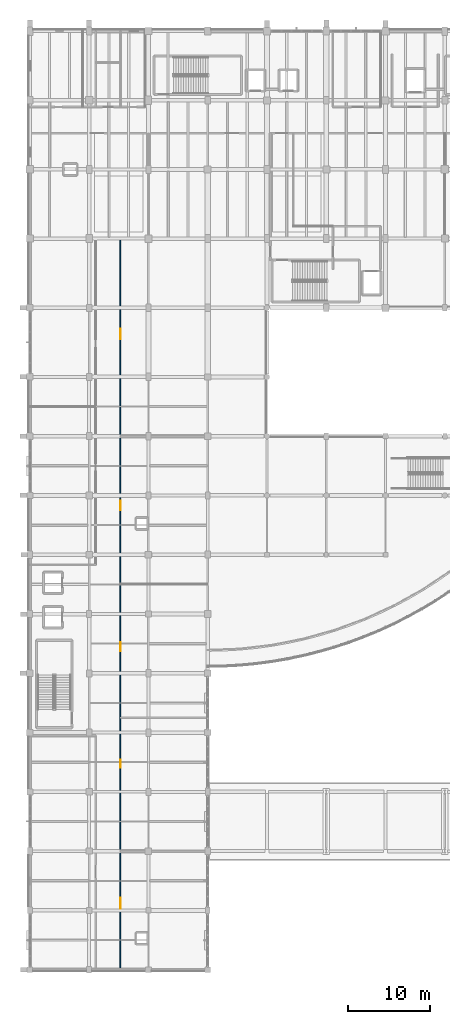
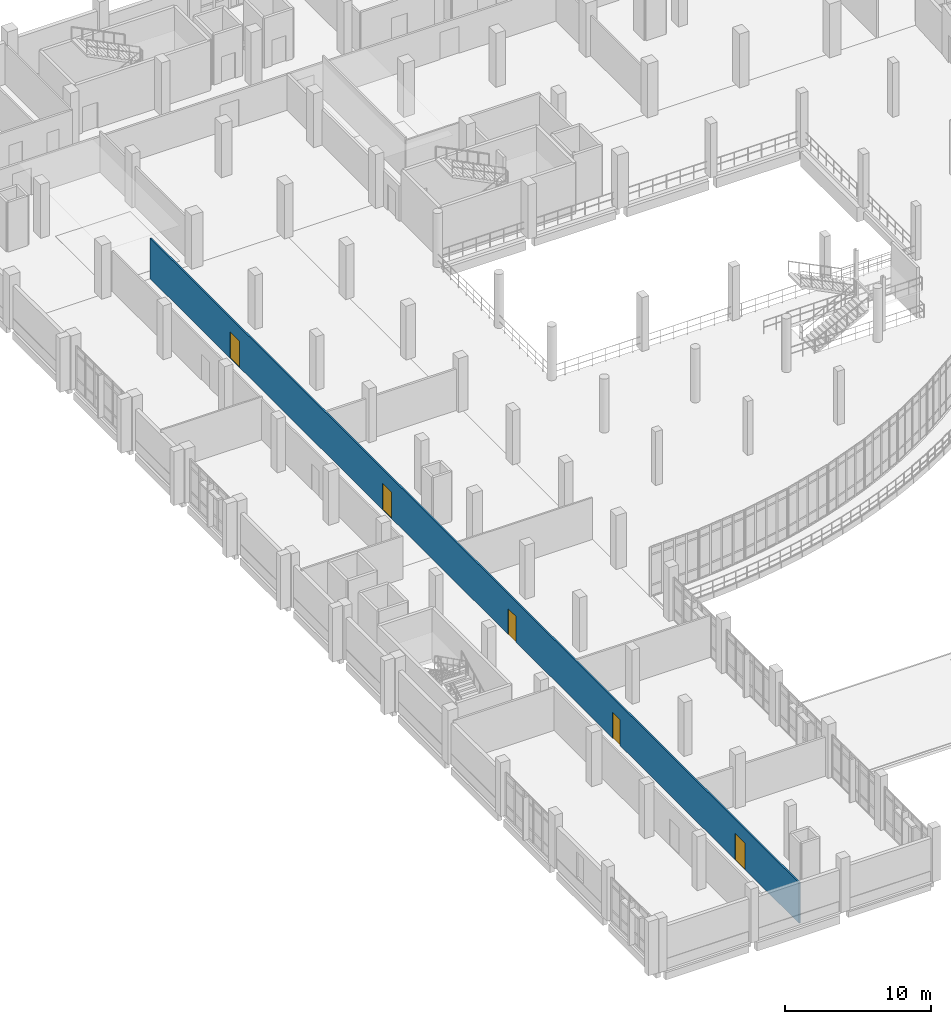
# One storey, part 112 of 134: 5 doors, 1 wall, 5 openings.
"""IFC4 building model written with IfcOpenShell, lengths in metres."""

from ifc_helpers import new_model, si_unit, direction, frame, frame_2d, origin, place, context, subcontext, project, spatial, rectangle, extrude, material, layer, layer_set, type_object, element, fill, save


model = new_model("IFC4")

# Units and contexts
model_context = context("Model", 3, precision=1e-05, world=origin(), true_north=direction((0.0, 1.0)))
body_context = subcontext(model_context, "Body", "Model", "MODEL_VIEW")
ifc_project = project(units=[si_unit("LENGTHUNIT", "METRE"), si_unit("AREAUNIT", "SQUARE_METRE"), si_unit("VOLUMEUNIT", "CUBIC_METRE"), si_unit("PLANEANGLEUNIT", "RADIAN"), si_unit("MASSUNIT", "GRAM", prefix="KILO")], contexts=[model_context])

# Site, building, storey
site_placement = place(None, origin())
site = spatial("IfcSite", under=ifc_project, at=site_placement, CompositionType="ELEMENT")
building_placement = place(site_placement, origin())
building = spatial("IfcBuilding", under=site, at=building_placement, Name="Kalluvel Institute of Natural Sciences", CompositionType="ELEMENT")
storey_placement = place(building_placement, frame((0.0, 0.0, 5.39990234375)))
storey = spatial("IfcBuildingStorey", under=building, at=storey_placement, Name="L01", CompositionType="ELEMENT", Elevation=5.39990234375)

# Wall, openings, doors
ifc_material_1 = material(Name="Acoustic Gypsum Twin-Stud Partition", Category="gypsum")
ifc_layer = layer(ifc_material_1, 0.1201171875)
ifc_layer_set = layer_set([ifc_layer], Name="Acoustic Gypsum Twin-Stud Partition")
wall_type = type_object("IfcWallType", Name="WL-PART-120", PredefinedType="PARTITIONING", material=ifc_layer_set)
wall_placement = place(storey_placement, frame((25.0, 14.0, 0.0), z_axis=(0.0, 0.0, 1.0), x_axis=(0.0, 1.0, 0.0)))
wall = element("IfcWall", 1, at=wall_placement, inside=storey, type_object=wall_type, Name="L01 interior partition wall WL-INT-L01-0104", PredefinedType="PARTITIONING", context=body_context, shape_type="SweptSolid", body=[
    extrude(rectangle(XDim=88.800048828125, YDim=0.1201171875, at=frame_2d((44.39990234375, 0.0))), origin(), (0.0, 0.0, 1.0), 3.380126953125),
])
opening_1_placement = place(wall_placement, frame((7.39990234375, 0.0, 0.0)))
opening_1 = element("IfcOpeningElement", 2, at=opening_1_placement, cuts=wall, Name="Opening D-108", PredefinedType="OPENING", context=body_context, shape_type="SweptSolid", body=[
    extrude(rectangle(XDim=1.35009765625, YDim=2.199951171875, at=frame_2d((0.675048828125, 1.10009765625))), frame((0.0, 0.070068359375, 0.0), z_axis=(0.0, -1.0, 0.0), x_axis=(1.0, 0.0, 0.0)), (0.0, 0.0, 1.0), 0.14013671875),
])
opening_2_placement = place(wall_placement, frame((24.5, 0.0, 0.0)))
opening_2 = element("IfcOpeningElement", 3, at=opening_2_placement, cuts=wall, Name="Opening D-109", PredefinedType="OPENING", context=body_context, shape_type="SweptSolid", body=[
    extrude(rectangle(XDim=1.0, YDim=2.14990234375, at=frame_2d((0.5, 1.074951171875))), frame((0.0, 0.070068359375, 0.0), z_axis=(0.0, -1.0, 0.0), x_axis=(1.0, 0.0, 0.0)), (0.0, 0.0, 1.0), 0.14013671875),
])
opening_3_placement = place(wall_placement, frame((38.699951171875, 0.0, 0.0)))
opening_3 = element("IfcOpeningElement", 4, at=opening_3_placement, cuts=wall, Name="Opening D-110", PredefinedType="OPENING", context=body_context, shape_type="SweptSolid", body=[
    extrude(rectangle(XDim=1.10009765625, YDim=2.14990234375, at=frame_2d((0.550048828125, 1.074951171875))), frame((0.0, 0.070068359375, 0.0), z_axis=(0.0, -1.0, 0.0), x_axis=(1.0, 0.0, 0.0)), (0.0, 0.0, 1.0), 0.14013671875),
])
opening_4_placement = place(wall_placement, frame((55.800048828125, 0.0, 0.0)))
opening_4 = element("IfcOpeningElement", 5, at=opening_4_placement, cuts=wall, Name="Opening D-111", PredefinedType="OPENING", context=body_context, shape_type="SweptSolid", body=[
    extrude(rectangle(XDim=1.179931640625, YDim=2.199951171875, at=frame_2d((0.58984375, 1.10009765625))), frame((0.0, 0.070068359375, 0.0), z_axis=(0.0, -1.0, 0.0), x_axis=(1.0, 0.0, 0.0)), (0.0, 0.0, 1.0), 0.14013671875),
])
opening_5_placement = place(wall_placement, frame((76.60009765625, 0.0, 0.0)))
opening_5 = element("IfcOpeningElement", 6, at=opening_5_placement, cuts=wall, Name="Opening D-112", PredefinedType="OPENING", context=body_context, shape_type="SweptSolid", body=[
    extrude(rectangle(XDim=1.25, YDim=2.199951171875, at=frame_2d((0.625, 1.10009765625))), frame((0.0, 0.070068359375, 0.0), z_axis=(0.0, -1.0, 0.0), x_axis=(1.0, 0.0, 0.0)), (0.0, 0.0, 1.0), 0.14013671875),
])
ifc_material_2 = material(Name="Engineered Hardwood Acoustic Leaf", Category="wood")
door_type_1 = type_object("IfcDoorType", Name="DR-INT-1000", OperationType="NOTDEFINED", PredefinedType="DOOR", material=ifc_material_2)
door_1_placement = place(opening_2_placement, origin())
door_1 = element("IfcDoor", 7, at=door_1_placement, inside=storey, type_object=door_type_1, Name="Population Genetics Computational Laboratory door D-109", OperationType="SINGLE_SWING_RIGHT", OverallHeight=2.14990234375, OverallWidth=1.0, PredefinedType="DOOR", context=body_context, shape_type="SweptSolid", body=[
    extrude(rectangle(XDim=1.0, YDim=2.14990234375, at=frame_2d((0.5, 1.074951171875))), frame((0.0, 0.02490234375, 0.0), z_axis=(0.0, -1.0, 0.0), x_axis=(1.0, 0.0, 0.0)), (0.0, 0.0, 1.0), 0.050048828125),
])
fill(opening_2, door_1)
door_type_2 = type_object("IfcDoorType", Name="DR-INT-1100", OperationType="NOTDEFINED", PredefinedType="DOOR", material=ifc_material_2)
door_2_placement = place(opening_3_placement, origin())
door_2 = element("IfcDoor", 8, at=door_2_placement, inside=storey, type_object=door_type_2, Name="Postdoctoral Write-Up Carrels South door D-110", OperationType="SINGLE_SWING_LEFT", OverallHeight=2.14990234375, OverallWidth=1.10009765625, PredefinedType="DOOR", context=body_context, shape_type="SweptSolid", body=[
    extrude(rectangle(XDim=1.10009765625, YDim=2.14990234375, at=frame_2d((0.550048828125, 1.074951171875))), frame((0.0, 0.02490234375, 0.0), z_axis=(0.0, -1.0, 0.0), x_axis=(1.0, 0.0, 0.0)), (0.0, 0.0, 1.0), 0.050048828125),
])
fill(opening_3, door_2)
door_type_3 = type_object("IfcDoorType", Name="DR-INT-1180", OperationType="NOTDEFINED", PredefinedType="DOOR", material=ifc_material_2)
door_3_placement = place(opening_4_placement, origin())
door_3 = element("IfcDoor", 9, at=door_3_placement, inside=storey, type_object=door_type_3, Name="Ecological Informatics Seminar Room door D-111", OperationType="SINGLE_SWING_RIGHT", OverallHeight=2.199951171875, OverallWidth=1.179931640625, PredefinedType="DOOR", context=body_context, shape_type="SweptSolid", body=[
    extrude(rectangle(XDim=1.179931640625, YDim=2.199951171875, at=frame_2d((0.58984375, 1.10009765625))), frame((0.0, 0.02490234375, 0.0), z_axis=(0.0, -1.0, 0.0), x_axis=(1.0, 0.0, 0.0)), (0.0, 0.0, 1.0), 0.050048828125),
])
fill(opening_4, door_3)
door_type_4 = type_object("IfcDoorType", Name="DR-INT-1250", OperationType="NOTDEFINED", PredefinedType="DOOR", material=ifc_material_2)
door_4_placement = place(opening_5_placement, origin())
door_4 = element("IfcDoor", 10, at=door_4_placement, inside=storey, type_object=door_type_4, Name="Quantitative Biology Write-Up Studio door D-112", OperationType="SINGLE_SWING_LEFT", OverallHeight=2.199951171875, OverallWidth=1.25, PredefinedType="DOOR", context=body_context, shape_type="SweptSolid", body=[
    extrude(rectangle(XDim=1.25, YDim=2.199951171875, at=frame_2d((0.625, 1.10009765625))), frame((0.0, 0.02490234375, 0.0), z_axis=(0.0, -1.0, 0.0), x_axis=(1.0, 0.0, 0.0)), (0.0, 0.0, 1.0), 0.050048828125),
])
fill(opening_5, door_4)
ifc_material_3 = material(Name="Aluminium AW-6063 T6", Category="aluminium")
door_type_5 = type_object("IfcDoorType", Name="DR-INT-1350", OperationType="NOTDEFINED", PredefinedType="DOOR", material=ifc_material_3)
door_5_placement = place(opening_1_placement, origin())
door_5 = element("IfcDoor", 11, at=door_5_placement, inside=storey, type_object=door_type_5, Name="Biostatistics Write-Up Studio door D-108", OperationType="SINGLE_SWING_LEFT", OverallHeight=2.199951171875, OverallWidth=1.35009765625, PredefinedType="DOOR", context=body_context, shape_type="SweptSolid", body=[
    extrude(rectangle(XDim=1.35009765625, YDim=2.199951171875, at=frame_2d((0.675048828125, 1.10009765625))), frame((0.0, 0.02490234375, 0.0), z_axis=(0.0, -1.0, 0.0), x_axis=(1.0, 0.0, 0.0)), (0.0, 0.0, 1.0), 0.050048828125),
])
fill(opening_1, door_5)

save(model, "model.ifc")
